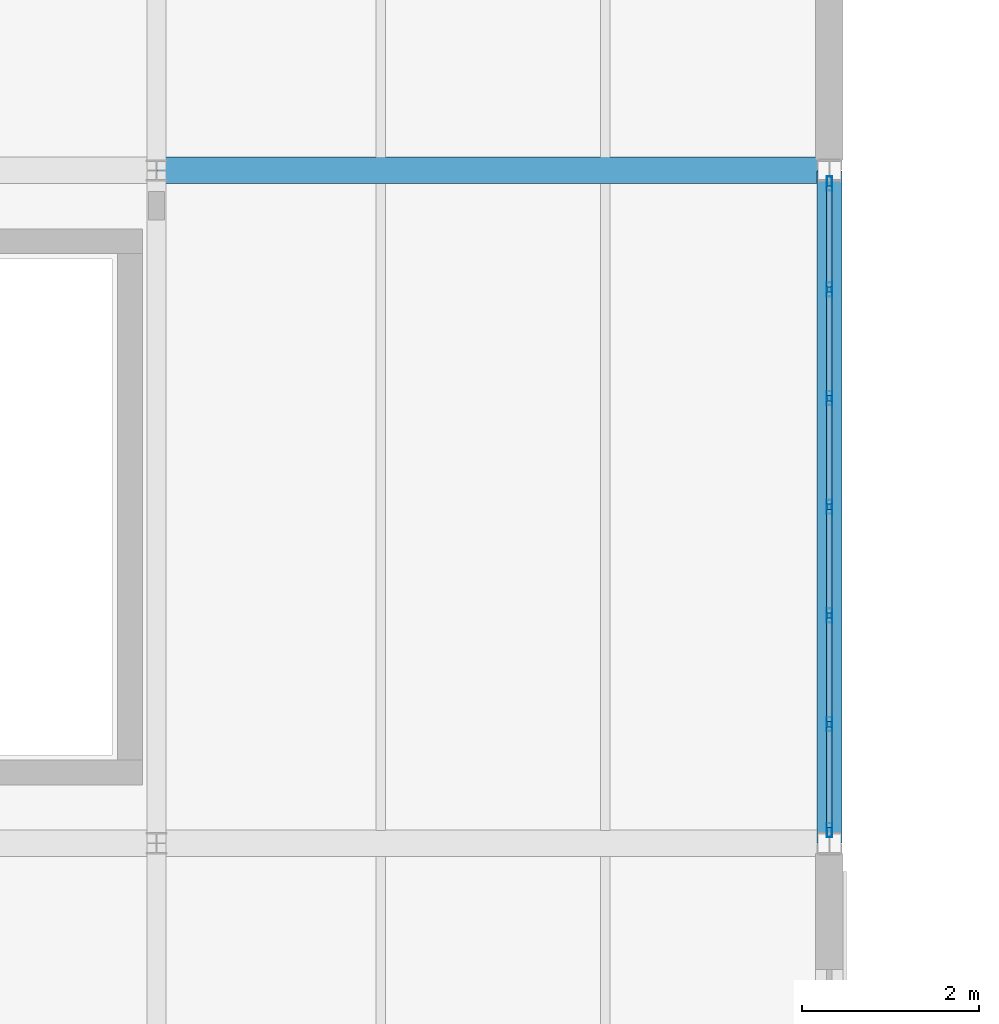
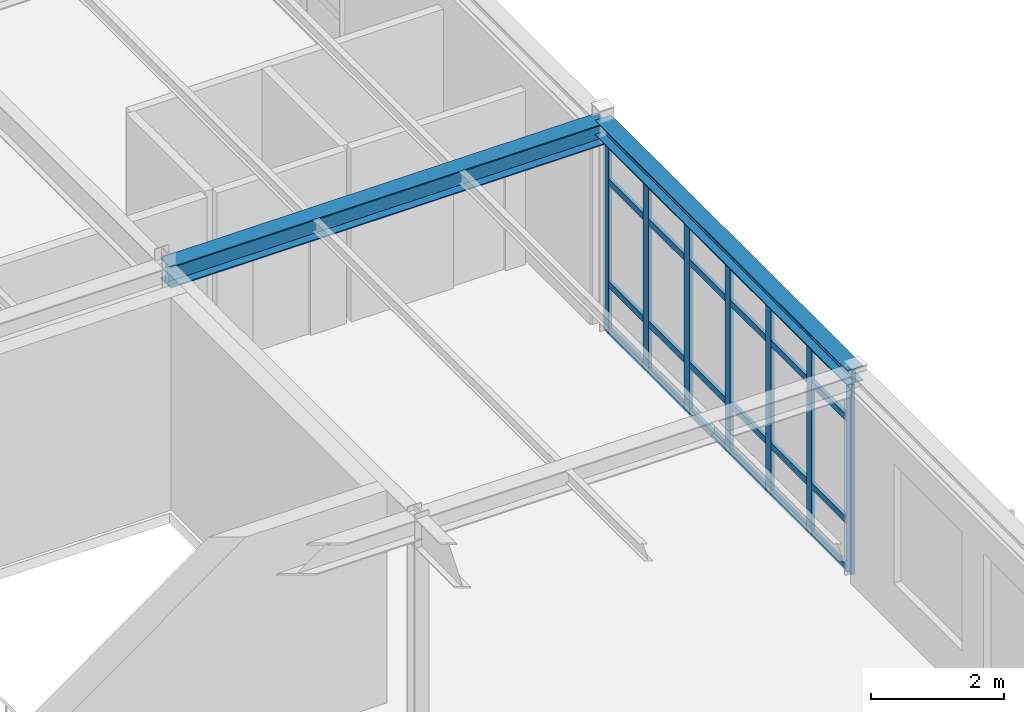
# One storey, part 35 of 189: 31 members, 2 beams, 1 element without a shape of its own.
"""IFC4 building model written with IfcOpenShell, lengths in metres."""

from ifc_helpers import new_model, si_unit, direction, frame, origin, origin_2d, place, context, subcontext, project, spatial, hollow_rectangle, i_section, extrude, material, layer, layer_set, material_profile, profile_set, type_object, element, aggregate, save


model = new_model("IFC4")

# Units and contexts
model_context = context("Model", 3, precision=1e-05, world=origin(), true_north=direction((0.0, 1.0)))
body_context = subcontext(model_context, "Body", "Model", "MODEL_VIEW")
ifc_project = project(units=[si_unit("LENGTHUNIT", "METRE"), si_unit("AREAUNIT", "SQUARE_METRE"), si_unit("VOLUMEUNIT", "CUBIC_METRE"), si_unit("PLANEANGLEUNIT", "RADIAN"), si_unit("MASSUNIT", "GRAM", prefix="KILO")], contexts=[model_context])

# Site, building, storey
site_placement = place(None, origin())
site = spatial("IfcSite", under=ifc_project, at=site_placement, CompositionType="ELEMENT")
building_placement = place(site_placement, origin())
building = spatial("IfcBuilding", under=site, at=building_placement, Name="Montecoro Central Library", CompositionType="ELEMENT")
storey_placement = place(building_placement, frame((0.0, 0.0, 9.179931640625)))
storey = spatial("IfcBuildingStorey", under=building, at=storey_placement, Name="L02", CompositionType="ELEMENT", Elevation=9.179931640625)

# Beams
ifc_material_1 = material(Name="Steel S355", Category="steel")
ifc_material_profile_1 = material_profile(ifc_material_1, i_section(OverallWidth=0.300048828125, OverallDepth=0.389892578125, WebThickness=0.010986328125, FlangeThickness=0.01904296875, at=origin_2d()), Name="HEA 400")
ifc_profile_set_1 = profile_set([ifc_material_profile_1], Name="Steel S355")
beam_type_1 = type_object("IfcBeamType", Name="BM-G-HEA400", PredefinedType="USERDEFINED", material=ifc_profile_set_1)
beam_1_placement = place(storey_placement, frame((35.405029296875, 20.199951171875, 3.630126953125), z_axis=(1.0, 0.0, 0.0), x_axis=(0.0, 1.0, 0.0)))
element("IfcBeam", 1, at=beam_1_placement, inside=storey, type_object=beam_type_1, Name="V3-L02-BX-56-C", ObjectType="GIRDER", PredefinedType="USERDEFINED", context=body_context, shape_type="SweptSolid", body=[
    extrude(i_section(OverallWidth=0.300048828125, OverallDepth=0.389892578125, WebThickness=0.010986328125, FlangeThickness=0.01904296875, at=origin_2d()), origin(), (0.0, 0.0, 1.0), 7.590087890625),
])
ifc_material_profile_2 = material_profile(ifc_material_1, i_section(OverallWidth=0.280029296875, OverallDepth=0.27001953125, WebThickness=0.008056640625, FlangeThickness=0.012939453125, at=origin_2d()), Name="HEA 280")
ifc_profile_set_2 = profile_set([ifc_material_profile_2], Name="Steel S355")
beam_type_2 = type_object("IfcBeamType", Name="BM-SP-HEA280", PredefinedType="SPANDREL", material=ifc_profile_set_2)
beam_2_placement = place(storey_placement, frame((43.0, 12.60498046875, 3.690185546875), z_axis=(0.0, 1.0, 0.0), x_axis=(-1.0, 0.0, 0.0)))
element("IfcBeam", 2, at=beam_2_placement, inside=storey, type_object=beam_type_2, Name="V3-L02-BY-6-BC", PredefinedType="SPANDREL", context=body_context, shape_type="SweptSolid", body=[
    extrude(i_section(OverallWidth=0.280029296875, OverallDepth=0.27001953125, WebThickness=0.008056640625, FlangeThickness=0.012939453125, at=origin_2d()), origin(), (0.0, 0.0, 1.0), 7.590087890625),
])

# Curtain wall, members
ifc_material_2 = material(Name="Bronze-anodised aluminium and low-E glazing", Category="aluminium")
ifc_layer = layer(ifc_material_2, 0.159912109375)
ifc_layer_set = layer_set([ifc_layer], Name="Bronze-anodised aluminium and low-E glazing")
curtain_wall_type = type_object("IfcCurtainWallType", Name="CWT-034", PredefinedType="NOTDEFINED", material=ifc_layer_set)
curtain_wall_placement = place(storey_placement, origin())
curtain_wall = element("IfcCurtainWall", 3, at=curtain_wall_placement, inside=storey, type_object=curtain_wall_type, Name="V3-L02-CW-E1", PredefinedType="NOTDEFINED")
ifc_material_3 = material(Name="Bronze-anodised aluminium", Category="aluminium")
ifc_material_profile_3 = material_profile(ifc_material_3, hollow_rectangle(XDim=0.06005859375, YDim=0.159912109375, WallThickness=0.00390625, at=origin_2d()), Name="CWM 160x60x4.0")
ifc_profile_set_3 = profile_set([ifc_material_profile_3], Name="Bronze-anodised aluminium")
member_type_1 = type_object("IfcMemberType", Name="CWM-BRZ-60", PredefinedType="MULLION", material=ifc_profile_set_3)
member_1_placement = place(storey_placement, frame((43.0, 12.748046875, 0.0), z_axis=(0.0, 0.0, 1.0), x_axis=(-1.0, 0.0, 0.0)))
member_1 = element("IfcMember", 4, at=member_1_placement, type_object=member_type_1, Name="CW-034 mullion 1", PredefinedType="MULLION", context=body_context, shape_type="SweptSolid", body=[
    extrude(hollow_rectangle(XDim=0.06005859375, YDim=0.159912109375, WallThickness=0.00390625, at=origin_2d()), origin(), (0.0, 0.0, 1.0), 3.47998046875),
])
member_2_placement = place(storey_placement, frame((43.0, 13.9453125, 0.0), z_axis=(0.0, 0.0, 1.0), x_axis=(-1.0, 0.0, 0.0)))
member_2 = element("IfcMember", 5, at=member_2_placement, type_object=member_type_1, Name="CW-034 mullion 2", PredefinedType="MULLION", context=body_context, shape_type="SweptSolid", body=[
    extrude(hollow_rectangle(XDim=0.06005859375, YDim=0.159912109375, WallThickness=0.00390625, at=origin_2d()), origin(), (0.0, 0.0, 1.0), 3.47998046875),
])
member_3_placement = place(storey_placement, frame((43.0, 15.172607421875, 0.0), z_axis=(0.0, 0.0, 1.0), x_axis=(-1.0, 0.0, 0.0)))
member_3 = element("IfcMember", 6, at=member_3_placement, type_object=member_type_1, Name="CW-034 mullion 3", PredefinedType="MULLION", context=body_context, shape_type="SweptSolid", body=[
    extrude(hollow_rectangle(XDim=0.06005859375, YDim=0.159912109375, WallThickness=0.00390625, at=origin_2d()), origin(), (0.0, 0.0, 1.0), 3.47998046875),
])
member_4_placement = place(storey_placement, frame((43.0, 16.39990234375, 0.0), z_axis=(0.0, 0.0, 1.0), x_axis=(-1.0, 0.0, 0.0)))
member_4 = element("IfcMember", 7, at=member_4_placement, type_object=member_type_1, Name="CW-034 mullion 4", PredefinedType="MULLION", context=body_context, shape_type="SweptSolid", body=[
    extrude(hollow_rectangle(XDim=0.06005859375, YDim=0.159912109375, WallThickness=0.00390625, at=origin_2d()), origin(), (0.0, 0.0, 1.0), 3.47998046875),
])
member_5_placement = place(storey_placement, frame((43.0, 17.62744140625, 0.0), z_axis=(0.0, 0.0, 1.0), x_axis=(-1.0, 0.0, 0.0)))
member_5 = element("IfcMember", 8, at=member_5_placement, type_object=member_type_1, Name="CW-034 mullion 5", PredefinedType="MULLION", context=body_context, shape_type="SweptSolid", body=[
    extrude(hollow_rectangle(XDim=0.06005859375, YDim=0.159912109375, WallThickness=0.00390625, at=origin_2d()), origin(), (0.0, 0.0, 1.0), 3.47998046875),
])
member_6_placement = place(storey_placement, frame((43.0, 18.854736328125, 0.0), z_axis=(0.0, 0.0, 1.0), x_axis=(-1.0, 0.0, 0.0)))
member_6 = element("IfcMember", 9, at=member_6_placement, type_object=member_type_1, Name="CW-034 mullion 6", PredefinedType="MULLION", context=body_context, shape_type="SweptSolid", body=[
    extrude(hollow_rectangle(XDim=0.06005859375, YDim=0.159912109375, WallThickness=0.00390625, at=origin_2d()), origin(), (0.0, 0.0, 1.0), 3.47998046875),
])
member_7_placement = place(storey_placement, frame((43.0, 20.052001953125, 0.0), z_axis=(0.0, 0.0, 1.0), x_axis=(-1.0, 0.0, 0.0)))
member_7 = element("IfcMember", 10, at=member_7_placement, type_object=member_type_1, Name="CW-034 mullion 7", PredefinedType="MULLION", context=body_context, shape_type="SweptSolid", body=[
    extrude(hollow_rectangle(XDim=0.06005859375, YDim=0.159912109375, WallThickness=0.00390625, at=origin_2d()), origin(), (0.0, 0.0, 1.0), 3.47998046875),
])
ifc_material_profile_4 = material_profile(ifc_material_3, hollow_rectangle(XDim=0.06005859375, YDim=0.1201171875, WallThickness=0.00390625, at=origin_2d()), Name="CWT 120x60x4.0")
ifc_profile_set_4 = profile_set([ifc_material_profile_4], Name="Bronze-anodised aluminium")
member_type_2 = type_object("IfcMemberType", Name="CWT-BRZ-60", PredefinedType="USERDEFINED", material=ifc_profile_set_4)
member_8_placement = place(storey_placement, frame((43.0, 12.778076171875, 0.030029296875), z_axis=(0.0, 1.0, 0.0), x_axis=(-1.0, 0.0, 0.0)))
member_8 = element("IfcMember", 11, at=member_8_placement, type_object=member_type_2, Name="CW-034 transom 1.1", ObjectType="TRANSOM", PredefinedType="USERDEFINED", context=body_context, shape_type="SweptSolid", body=[
    extrude(hollow_rectangle(XDim=0.06005859375, YDim=0.1201171875, WallThickness=0.00390625, at=origin_2d()), origin(), (0.0, 0.0, 1.0), 1.13720703125),
])
member_9_placement = place(storey_placement, frame((43.0, 12.778076171875, 0.900146484375), z_axis=(0.0, 1.0, 0.0), x_axis=(-1.0, 0.0, 0.0)))
member_9 = element("IfcMember", 12, at=member_9_placement, type_object=member_type_2, Name="CW-034 transom 1.2", ObjectType="TRANSOM", PredefinedType="USERDEFINED", context=body_context, shape_type="SweptSolid", body=[
    extrude(hollow_rectangle(XDim=0.06005859375, YDim=0.1201171875, WallThickness=0.00390625, at=origin_2d()), origin(), (0.0, 0.0, 1.0), 1.13720703125),
])
member_10_placement = place(storey_placement, frame((43.0, 12.778076171875, 2.780029296875), z_axis=(0.0, 1.0, 0.0), x_axis=(-1.0, 0.0, 0.0)))
member_10 = element("IfcMember", 13, at=member_10_placement, type_object=member_type_2, Name="CW-034 transom 1.3", ObjectType="TRANSOM", PredefinedType="USERDEFINED", context=body_context, shape_type="SweptSolid", body=[
    extrude(hollow_rectangle(XDim=0.06005859375, YDim=0.1201171875, WallThickness=0.00390625, at=origin_2d()), origin(), (0.0, 0.0, 1.0), 1.13720703125),
])
member_11_placement = place(storey_placement, frame((43.0, 12.778076171875, 3.449951171875), z_axis=(0.0, 1.0, 0.0), x_axis=(-1.0, 0.0, 0.0)))
member_11 = element("IfcMember", 14, at=member_11_placement, type_object=member_type_2, Name="CW-034 transom 1.4", ObjectType="TRANSOM", PredefinedType="USERDEFINED", context=body_context, shape_type="SweptSolid", body=[
    extrude(hollow_rectangle(XDim=0.06005859375, YDim=0.1201171875, WallThickness=0.00390625, at=origin_2d()), origin(), (0.0, 0.0, 1.0), 1.13720703125),
])
member_12_placement = place(storey_placement, frame((43.0, 13.975341796875, 0.030029296875), z_axis=(0.0, 1.0, 0.0), x_axis=(-1.0, 0.0, 0.0)))
member_12 = element("IfcMember", 15, at=member_12_placement, type_object=member_type_2, Name="CW-034 transom 2.1", ObjectType="TRANSOM", PredefinedType="USERDEFINED", context=body_context, shape_type="SweptSolid", body=[
    extrude(hollow_rectangle(XDim=0.06005859375, YDim=0.1201171875, WallThickness=0.00390625, at=origin_2d()), origin(), (0.0, 0.0, 1.0), 1.167236328125),
])
member_13_placement = place(storey_placement, frame((43.0, 13.975341796875, 0.900146484375), z_axis=(0.0, 1.0, 0.0), x_axis=(-1.0, 0.0, 0.0)))
member_13 = element("IfcMember", 16, at=member_13_placement, type_object=member_type_2, Name="CW-034 transom 2.2", ObjectType="TRANSOM", PredefinedType="USERDEFINED", context=body_context, shape_type="SweptSolid", body=[
    extrude(hollow_rectangle(XDim=0.06005859375, YDim=0.1201171875, WallThickness=0.00390625, at=origin_2d()), origin(), (0.0, 0.0, 1.0), 1.167236328125),
])
member_14_placement = place(storey_placement, frame((43.0, 13.975341796875, 2.780029296875), z_axis=(0.0, 1.0, 0.0), x_axis=(-1.0, 0.0, 0.0)))
member_14 = element("IfcMember", 17, at=member_14_placement, type_object=member_type_2, Name="CW-034 transom 2.3", ObjectType="TRANSOM", PredefinedType="USERDEFINED", context=body_context, shape_type="SweptSolid", body=[
    extrude(hollow_rectangle(XDim=0.06005859375, YDim=0.1201171875, WallThickness=0.00390625, at=origin_2d()), origin(), (0.0, 0.0, 1.0), 1.167236328125),
])
member_15_placement = place(storey_placement, frame((43.0, 13.975341796875, 3.449951171875), z_axis=(0.0, 1.0, 0.0), x_axis=(-1.0, 0.0, 0.0)))
member_15 = element("IfcMember", 18, at=member_15_placement, type_object=member_type_2, Name="CW-034 transom 2.4", ObjectType="TRANSOM", PredefinedType="USERDEFINED", context=body_context, shape_type="SweptSolid", body=[
    extrude(hollow_rectangle(XDim=0.06005859375, YDim=0.1201171875, WallThickness=0.00390625, at=origin_2d()), origin(), (0.0, 0.0, 1.0), 1.167236328125),
])
member_16_placement = place(storey_placement, frame((43.0, 15.20263671875, 0.030029296875), z_axis=(0.0, 1.0, 0.0), x_axis=(-1.0, 0.0, 0.0)))
member_16 = element("IfcMember", 19, at=member_16_placement, type_object=member_type_2, Name="CW-034 transom 3.1", ObjectType="TRANSOM", PredefinedType="USERDEFINED", context=body_context, shape_type="SweptSolid", body=[
    extrude(hollow_rectangle(XDim=0.06005859375, YDim=0.1201171875, WallThickness=0.00390625, at=origin_2d()), origin(), (0.0, 0.0, 1.0), 1.16748046875),
])
member_17_placement = place(storey_placement, frame((43.0, 15.20263671875, 0.900146484375), z_axis=(0.0, 1.0, 0.0), x_axis=(-1.0, 0.0, 0.0)))
member_17 = element("IfcMember", 20, at=member_17_placement, type_object=member_type_2, Name="CW-034 transom 3.2", ObjectType="TRANSOM", PredefinedType="USERDEFINED", context=body_context, shape_type="SweptSolid", body=[
    extrude(hollow_rectangle(XDim=0.06005859375, YDim=0.1201171875, WallThickness=0.00390625, at=origin_2d()), origin(), (0.0, 0.0, 1.0), 1.16748046875),
])
member_18_placement = place(storey_placement, frame((43.0, 15.20263671875, 2.780029296875), z_axis=(0.0, 1.0, 0.0), x_axis=(-1.0, 0.0, 0.0)))
member_18 = element("IfcMember", 21, at=member_18_placement, type_object=member_type_2, Name="CW-034 transom 3.3", ObjectType="TRANSOM", PredefinedType="USERDEFINED", context=body_context, shape_type="SweptSolid", body=[
    extrude(hollow_rectangle(XDim=0.06005859375, YDim=0.1201171875, WallThickness=0.00390625, at=origin_2d()), origin(), (0.0, 0.0, 1.0), 1.16748046875),
])
member_19_placement = place(storey_placement, frame((43.0, 15.20263671875, 3.449951171875), z_axis=(0.0, 1.0, 0.0), x_axis=(-1.0, 0.0, 0.0)))
member_19 = element("IfcMember", 22, at=member_19_placement, type_object=member_type_2, Name="CW-034 transom 3.4", ObjectType="TRANSOM", PredefinedType="USERDEFINED", context=body_context, shape_type="SweptSolid", body=[
    extrude(hollow_rectangle(XDim=0.06005859375, YDim=0.1201171875, WallThickness=0.00390625, at=origin_2d()), origin(), (0.0, 0.0, 1.0), 1.16748046875),
])
member_20_placement = place(storey_placement, frame((43.0, 16.429931640625, 0.030029296875), z_axis=(0.0, 1.0, 0.0), x_axis=(-1.0, 0.0, 0.0)))
member_20 = element("IfcMember", 23, at=member_20_placement, type_object=member_type_2, Name="CW-034 transom 4.1", ObjectType="TRANSOM", PredefinedType="USERDEFINED", context=body_context, shape_type="SweptSolid", body=[
    extrude(hollow_rectangle(XDim=0.06005859375, YDim=0.1201171875, WallThickness=0.00390625, at=origin_2d()), origin(), (0.0, 0.0, 1.0), 1.16748046875),
])
member_21_placement = place(storey_placement, frame((43.0, 16.429931640625, 0.900146484375), z_axis=(0.0, 1.0, 0.0), x_axis=(-1.0, 0.0, 0.0)))
member_21 = element("IfcMember", 24, at=member_21_placement, type_object=member_type_2, Name="CW-034 transom 4.2", ObjectType="TRANSOM", PredefinedType="USERDEFINED", context=body_context, shape_type="SweptSolid", body=[
    extrude(hollow_rectangle(XDim=0.06005859375, YDim=0.1201171875, WallThickness=0.00390625, at=origin_2d()), origin(), (0.0, 0.0, 1.0), 1.16748046875),
])
member_22_placement = place(storey_placement, frame((43.0, 16.429931640625, 2.780029296875), z_axis=(0.0, 1.0, 0.0), x_axis=(-1.0, 0.0, 0.0)))
member_22 = element("IfcMember", 25, at=member_22_placement, type_object=member_type_2, Name="CW-034 transom 4.3", ObjectType="TRANSOM", PredefinedType="USERDEFINED", context=body_context, shape_type="SweptSolid", body=[
    extrude(hollow_rectangle(XDim=0.06005859375, YDim=0.1201171875, WallThickness=0.00390625, at=origin_2d()), origin(), (0.0, 0.0, 1.0), 1.16748046875),
])
member_23_placement = place(storey_placement, frame((43.0, 16.429931640625, 3.449951171875), z_axis=(0.0, 1.0, 0.0), x_axis=(-1.0, 0.0, 0.0)))
member_23 = element("IfcMember", 26, at=member_23_placement, type_object=member_type_2, Name="CW-034 transom 4.4", ObjectType="TRANSOM", PredefinedType="USERDEFINED", context=body_context, shape_type="SweptSolid", body=[
    extrude(hollow_rectangle(XDim=0.06005859375, YDim=0.1201171875, WallThickness=0.00390625, at=origin_2d()), origin(), (0.0, 0.0, 1.0), 1.16748046875),
])
member_24_placement = place(storey_placement, frame((43.0, 17.6572265625, 0.030029296875), z_axis=(0.0, 1.0, 0.0), x_axis=(-1.0, 0.0, 0.0)))
member_24 = element("IfcMember", 27, at=member_24_placement, type_object=member_type_2, Name="CW-034 transom 5.1", ObjectType="TRANSOM", PredefinedType="USERDEFINED", context=body_context, shape_type="SweptSolid", body=[
    extrude(hollow_rectangle(XDim=0.06005859375, YDim=0.1201171875, WallThickness=0.00390625, at=origin_2d()), origin(), (0.0, 0.0, 1.0), 1.16748046875),
])
member_25_placement = place(storey_placement, frame((43.0, 17.6572265625, 0.900146484375), z_axis=(0.0, 1.0, 0.0), x_axis=(-1.0, 0.0, 0.0)))
member_25 = element("IfcMember", 28, at=member_25_placement, type_object=member_type_2, Name="CW-034 transom 5.2", ObjectType="TRANSOM", PredefinedType="USERDEFINED", context=body_context, shape_type="SweptSolid", body=[
    extrude(hollow_rectangle(XDim=0.06005859375, YDim=0.1201171875, WallThickness=0.00390625, at=origin_2d()), origin(), (0.0, 0.0, 1.0), 1.16748046875),
])
member_26_placement = place(storey_placement, frame((43.0, 17.6572265625, 2.780029296875), z_axis=(0.0, 1.0, 0.0), x_axis=(-1.0, 0.0, 0.0)))
member_26 = element("IfcMember", 29, at=member_26_placement, type_object=member_type_2, Name="CW-034 transom 5.3", ObjectType="TRANSOM", PredefinedType="USERDEFINED", context=body_context, shape_type="SweptSolid", body=[
    extrude(hollow_rectangle(XDim=0.06005859375, YDim=0.1201171875, WallThickness=0.00390625, at=origin_2d()), origin(), (0.0, 0.0, 1.0), 1.16748046875),
])
member_27_placement = place(storey_placement, frame((43.0, 17.6572265625, 3.449951171875), z_axis=(0.0, 1.0, 0.0), x_axis=(-1.0, 0.0, 0.0)))
member_27 = element("IfcMember", 30, at=member_27_placement, type_object=member_type_2, Name="CW-034 transom 5.4", ObjectType="TRANSOM", PredefinedType="USERDEFINED", context=body_context, shape_type="SweptSolid", body=[
    extrude(hollow_rectangle(XDim=0.06005859375, YDim=0.1201171875, WallThickness=0.00390625, at=origin_2d()), origin(), (0.0, 0.0, 1.0), 1.16748046875),
])
member_28_placement = place(storey_placement, frame((43.0, 18.884765625, 0.030029296875), z_axis=(0.0, 1.0, 0.0), x_axis=(-1.0, 0.0, 0.0)))
member_28 = element("IfcMember", 31, at=member_28_placement, type_object=member_type_2, Name="CW-034 transom 6.1", ObjectType="TRANSOM", PredefinedType="USERDEFINED", context=body_context, shape_type="SweptSolid", body=[
    extrude(hollow_rectangle(XDim=0.06005859375, YDim=0.1201171875, WallThickness=0.00390625, at=origin_2d()), origin(), (0.0, 0.0, 1.0), 1.13720703125),
])
member_29_placement = place(storey_placement, frame((43.0, 18.884765625, 0.900146484375), z_axis=(0.0, 1.0, 0.0), x_axis=(-1.0, 0.0, 0.0)))
member_29 = element("IfcMember", 32, at=member_29_placement, type_object=member_type_2, Name="CW-034 transom 6.2", ObjectType="TRANSOM", PredefinedType="USERDEFINED", context=body_context, shape_type="SweptSolid", body=[
    extrude(hollow_rectangle(XDim=0.06005859375, YDim=0.1201171875, WallThickness=0.00390625, at=origin_2d()), origin(), (0.0, 0.0, 1.0), 1.13720703125),
])
member_30_placement = place(storey_placement, frame((43.0, 18.884765625, 2.780029296875), z_axis=(0.0, 1.0, 0.0), x_axis=(-1.0, 0.0, 0.0)))
member_30 = element("IfcMember", 33, at=member_30_placement, type_object=member_type_2, Name="CW-034 transom 6.3", ObjectType="TRANSOM", PredefinedType="USERDEFINED", context=body_context, shape_type="SweptSolid", body=[
    extrude(hollow_rectangle(XDim=0.06005859375, YDim=0.1201171875, WallThickness=0.00390625, at=origin_2d()), origin(), (0.0, 0.0, 1.0), 1.13720703125),
])
member_31_placement = place(storey_placement, frame((43.0, 18.884765625, 3.449951171875), z_axis=(0.0, 1.0, 0.0), x_axis=(-1.0, 0.0, 0.0)))
member_31 = element("IfcMember", 34, at=member_31_placement, type_object=member_type_2, Name="CW-034 transom 6.4", ObjectType="TRANSOM", PredefinedType="USERDEFINED", context=body_context, shape_type="SweptSolid", body=[
    extrude(hollow_rectangle(XDim=0.06005859375, YDim=0.1201171875, WallThickness=0.00390625, at=origin_2d()), origin(), (0.0, 0.0, 1.0), 1.13720703125),
])
aggregate(curtain_wall, [member_1, member_2, member_3, member_4, member_5, member_6, member_7, member_8, member_9, member_10, member_11, member_12, member_13, member_14, member_15, member_16, member_17, member_18, member_19, member_20, member_21, member_22, member_23, member_24, member_25, member_26, member_27, member_28, member_29, member_30, member_31])

save(model, "model.ifc")
